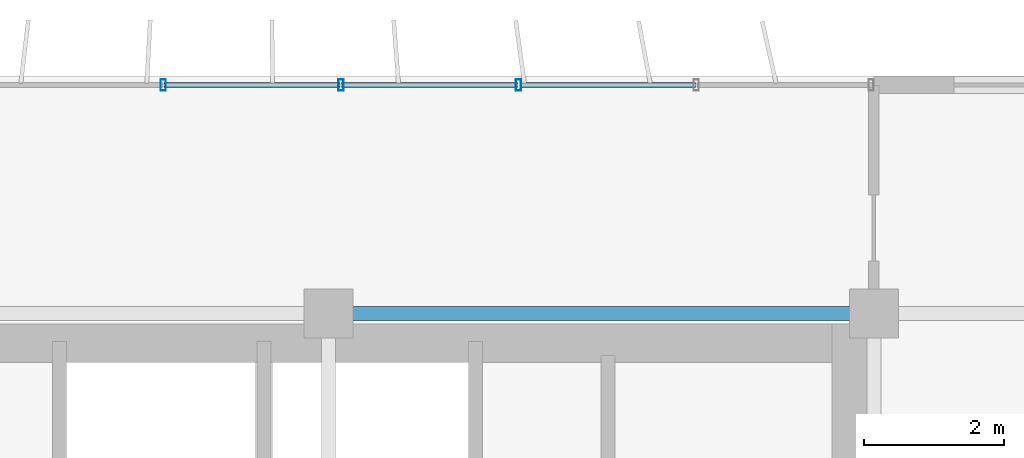
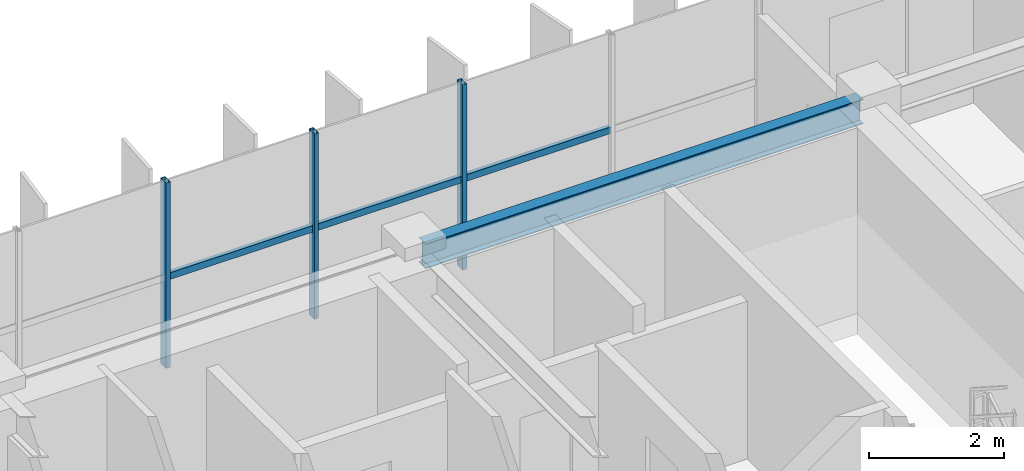
# One storey, part 12 of 23: 6 members, 1 beam, 1 element without a shape of its own.
"""IFC4 building model written with IfcOpenShell, lengths in metres."""

from ifc_helpers import new_model, si_unit, direction, frame, origin, origin_2d, place, context, subcontext, project, spatial, hollow_rectangle, i_section, extrude, source, transform, mapped, material, material_profile, profile_set, type_object, element, aggregate, save


model = new_model("IFC4")

# Units and contexts
model_context = context("Model", 3, precision=1e-05, world=origin(), true_north=direction((0.0, 1.0)))
body_context = subcontext(model_context, "Body", "Model", "MODEL_VIEW")
ifc_project = project(units=[si_unit("LENGTHUNIT", "METRE"), si_unit("AREAUNIT", "SQUARE_METRE"), si_unit("VOLUMEUNIT", "CUBIC_METRE"), si_unit("PLANEANGLEUNIT", "RADIAN"), si_unit("MASSUNIT", "GRAM", prefix="KILO")], contexts=[model_context])

# Site, building, storey
site_placement = place(None, origin())
site = spatial("IfcSite", under=ifc_project, at=site_placement, CompositionType="ELEMENT")
building_placement = place(site_placement, origin())
building = spatial("IfcBuilding", under=site, at=building_placement, Name="Trelvane Seafront Commons", CompositionType="ELEMENT")
storey_placement = place(building_placement, frame((0.0, 0.0, 204.89990234375)))
storey = spatial("IfcBuildingStorey", under=building, at=storey_placement, Name="L53", CompositionType="ELEMENT", Elevation=204.89990234375)

# Beam
ifc_material_1 = material(Name="Steel SM355 (S355)", Category="steel")
ifc_material_profile_1 = material_profile(ifc_material_1, i_section(OverallWidth=0.199951171875, OverallDepth=0.449951171875, WebThickness=0.009033203125, FlangeThickness=0.013916015625, at=origin_2d()), Name="H-450x200x9x14")
ifc_profile_set_1 = profile_set([ifc_material_profile_1], Name="Steel SM355 (S355)")
beam_type = type_object("IfcBeamType", Name="STR-SPD-H450", PredefinedType="SPANDREL", material=ifc_profile_set_1)
shared_shape_1 = source(origin(), body_context, "Body", "SweptSolid", [
    extrude(i_section(OverallWidth=0.199951171875, OverallDepth=0.449951171875, WebThickness=0.009033203125, FlangeThickness=0.013916015625, at=origin_2d()), origin(), (0.0, 0.0, 1.0), 7.5),
])
beam_placement = place(storey_placement, frame((51.14990234375, 45.10009765625, 3.135009765625), z_axis=(1.0, 0.0, 0.0), x_axis=(0.0, 1.0, 0.0)))
element("IfcBeam", 1, at=beam_placement, inside=storey, type_object=beam_type, Name="L53 Primary Girder G-27", PredefinedType="SPANDREL", context=body_context, shape_type="MappedRepresentation", body=[
    mapped(shared_shape_1, transform((0.0, 0.0, 0.0), x_axis=(1.0, 0.0, 0.0), y_axis=(0.0, 1.0, 0.0), z_axis=(0.0, 0.0, 1.0), scale=1.0)),
])

# Curtain wall, members
ifc_material_2 = material(Name="Anodised pale-silver aluminium", Category="aluminium")
curtain_wall_type = type_object("IfcCurtainWallType", Name="ARCH-CW5-UPTOWER", PredefinedType="NOTDEFINED", material=ifc_material_2)
curtain_wall_placement = place(storey_placement, origin())
curtain_wall = element("IfcCurtainWall", 2, at=curtain_wall_placement, inside=storey, type_object=curtain_wall_type, Name="CW-L53-0096", PredefinedType="NOTDEFINED")
ifc_material_profile_2 = material_profile(ifc_material_2, hollow_rectangle(XDim=0.070068359375, YDim=0.1201171875, WallThickness=0.00390625, at=origin_2d()), Name="TRAN-70x120x4")
ifc_profile_set_2 = profile_set([ifc_material_profile_2], Name="Anodised pale-silver aluminium")
member_type_1 = type_object("IfcMemberType", Name="ARCH-CW-TRAN-120", PredefinedType="USERDEFINED", material=ifc_profile_set_2)
shared_shape_2 = source(origin(), body_context, "Body", "SweptSolid", [
    extrude(hollow_rectangle(XDim=0.070068359375, YDim=0.1201171875, WallThickness=0.00390625, at=origin_2d()), origin(), (0.0, 0.0, 1.0), 2.51708984375),
])
member_1_placement = place(storey_placement, frame((51.1884765625, 48.3701171875, 1.613037109375), z_axis=(1.0, 0.0, 0.0), x_axis=(0.0, 1.0, 0.0)))
member_1 = element("IfcMember", 3, at=member_1_placement, type_object=member_type_1, Name="CW-L53-0096-T14", ObjectType="TRANSOM", PredefinedType="USERDEFINED", context=body_context, shape_type="MappedRepresentation", body=[
    mapped(shared_shape_2, transform((0.0, 0.0, 0.0), x_axis=(1.0, 0.0, 0.0), y_axis=(0.0, 1.0, 0.0), z_axis=(0.0, 0.0, 1.0), scale=1.0)),
])
shared_shape_3 = source(origin(), body_context, "Body", "SweptSolid", [
    extrude(hollow_rectangle(XDim=0.070068359375, YDim=0.1201171875, WallThickness=0.00390625, at=origin_2d()), origin(), (0.0, 0.0, 1.0), 2.517333984375),
])
member_2_placement = place(storey_placement, frame((48.647216796875, 48.3701171875, 1.613037109375), z_axis=(1.0, 0.0, 0.0), x_axis=(0.0, 1.0, 0.0)))
member_2 = element("IfcMember", 4, at=member_2_placement, type_object=member_type_1, Name="CW-L53-0096-T13", ObjectType="TRANSOM", PredefinedType="USERDEFINED", context=body_context, shape_type="MappedRepresentation", body=[
    mapped(shared_shape_3, transform((0.0, 0.0, 0.0), x_axis=(1.0, 0.0, 0.0), y_axis=(0.0, 1.0, 0.0), z_axis=(0.0, 0.0, 1.0), scale=1.0)),
])
member_3_placement = place(storey_placement, frame((53.7294921875, 48.3701171875, 1.613037109375), z_axis=(1.0, 0.0, 0.0), x_axis=(0.0, 1.0, 0.0)))
member_3 = element("IfcMember", 5, at=member_3_placement, type_object=member_type_1, Name="CW-L53-0096-T15", ObjectType="TRANSOM", PredefinedType="USERDEFINED", context=body_context, shape_type="MappedRepresentation", body=[
    mapped(shared_shape_3, transform((0.0, 0.0, 0.0), x_axis=(1.0, 0.0, 0.0), y_axis=(0.0, 1.0, 0.0), z_axis=(0.0, 0.0, 1.0), scale=1.0)),
])
ifc_material_profile_3 = material_profile(ifc_material_2, hollow_rectangle(XDim=0.074951171875, YDim=0.159912109375, WallThickness=0.00390625, at=origin_2d()), Name="MULL-75x160x4")
ifc_profile_set_3 = profile_set([ifc_material_profile_3], Name="Anodised pale-silver aluminium")
member_type_2 = type_object("IfcMemberType", Name="ARCH-CW-MULL-160", PredefinedType="MULLION", material=ifc_profile_set_3)
shared_shape_4 = source(origin(), body_context, "Body", "SweptSolid", [
    extrude(hollow_rectangle(XDim=0.074951171875, YDim=0.159912109375, WallThickness=0.00390625, at=origin_2d()), origin(), (0.0, 0.0, 1.0), 3.360107421875),
])
member_4_placement = place(storey_placement, frame((48.63525390625, 48.3701171875, 0.0), z_axis=(0.0, 0.0, 1.0), x_axis=(1.0, 0.0, 0.0)))
member_4 = element("IfcMember", 6, at=member_4_placement, type_object=member_type_2, Name="CW-L53-0096-M13", PredefinedType="MULLION", context=body_context, shape_type="MappedRepresentation", body=[
    mapped(shared_shape_4, transform((0.0, 0.0, 0.0), x_axis=(1.0, 0.0, 0.0), y_axis=(0.0, 1.0, 0.0), z_axis=(0.0, 0.0, 1.0), scale=1.0)),
])
member_5_placement = place(storey_placement, frame((51.176513671875, 48.3701171875, 0.0), z_axis=(0.0, 0.0, 1.0), x_axis=(1.0, 0.0, 0.0)))
member_5 = element("IfcMember", 7, at=member_5_placement, type_object=member_type_2, Name="CW-L53-0096-M14", PredefinedType="MULLION", context=body_context, shape_type="MappedRepresentation", body=[
    mapped(shared_shape_4, transform((0.0, 0.0, 0.0), x_axis=(1.0, 0.0, 0.0), y_axis=(0.0, 1.0, 0.0), z_axis=(0.0, 0.0, 1.0), scale=1.0)),
])
member_6_placement = place(storey_placement, frame((53.717529296875, 48.3701171875, 0.0), z_axis=(0.0, 0.0, 1.0), x_axis=(1.0, 0.0, 0.0)))
member_6 = element("IfcMember", 8, at=member_6_placement, type_object=member_type_2, Name="CW-L53-0096-M15", PredefinedType="MULLION", context=body_context, shape_type="MappedRepresentation", body=[
    mapped(shared_shape_4, transform((0.0, 0.0, 0.0), x_axis=(1.0, 0.0, 0.0), y_axis=(0.0, 1.0, 0.0), z_axis=(0.0, 0.0, 1.0), scale=1.0)),
])
aggregate(curtain_wall, [member_4, member_5, member_6, member_2, member_1, member_3])

save(model, "model.ifc")
